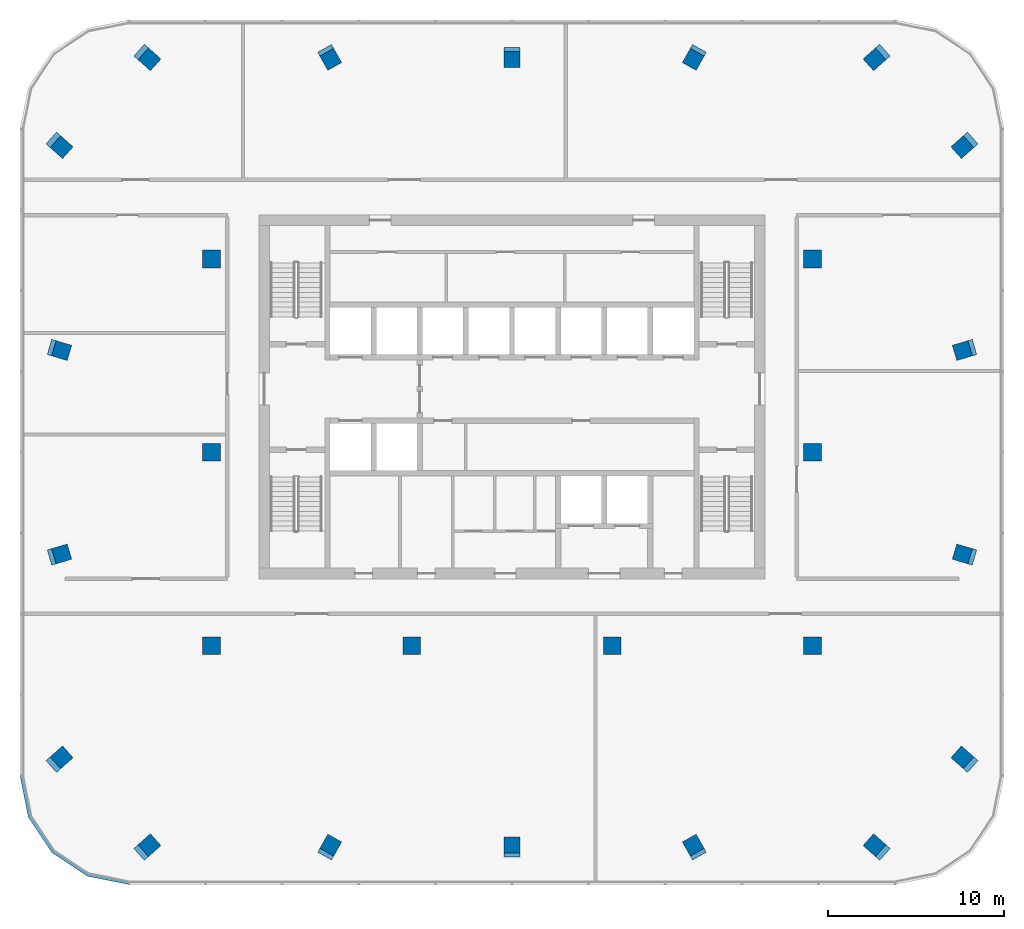
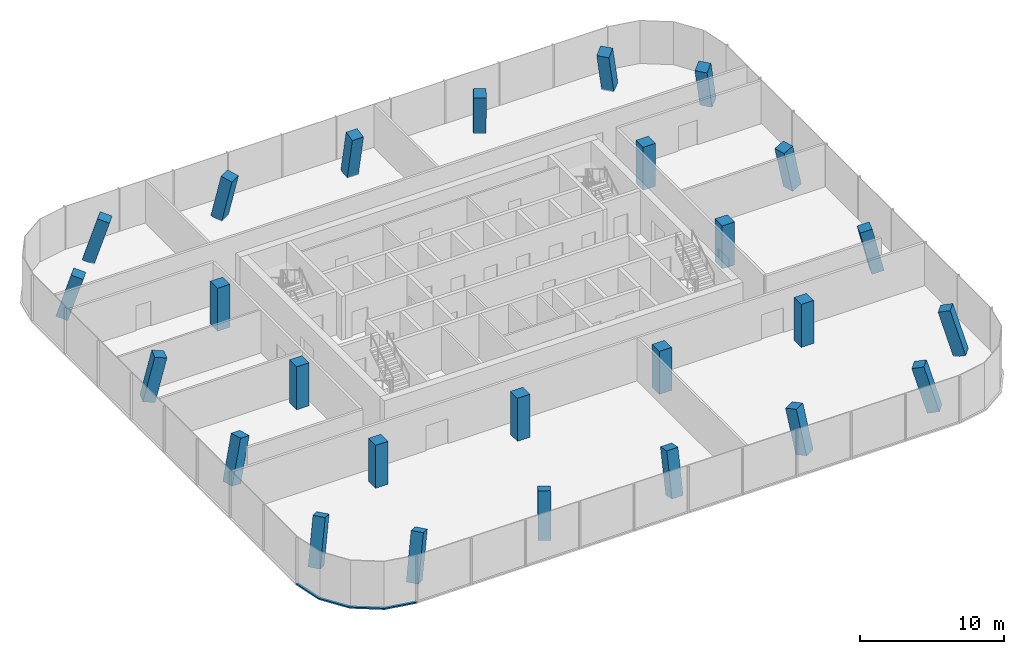
# One storey, part 1 of 10: 26 columns, 1 member, 1 element without a shape of its own.
"""IFC4 building model written with IfcOpenShell, lengths in metres."""

from ifc_helpers import new_model, si_unit, direction, frame, origin, origin_2d, place, context, subcontext, project, spatial, polyline, rectangle, outline, extrude, material, material_profile, profile_set, type_object, element, aggregate, save


model = new_model("IFC4")

# Units and contexts
model_context = context("Model", 3, precision=1e-05, world=origin(), true_north=direction((0.0, 1.0)))
body_context = subcontext(model_context, "Body", "Model", "MODEL_VIEW")
ifc_project = project(units=[si_unit("LENGTHUNIT", "METRE"), si_unit("AREAUNIT", "SQUARE_METRE"), si_unit("VOLUMEUNIT", "CUBIC_METRE"), si_unit("PLANEANGLEUNIT", "RADIAN"), si_unit("MASSUNIT", "GRAM", prefix="KILO")], contexts=[model_context])

# Site, building, storey
site_placement = place(None, origin())
site = spatial("IfcSite", under=ifc_project, at=site_placement, CompositionType="ELEMENT")
building_placement = place(site_placement, origin())
building = spatial("IfcBuilding", under=site, at=building_placement, Name="Mopane Tessera Tower", CompositionType="ELEMENT")
storey_placement = place(building_placement, frame((0.0, 0.0, 325.39990234375)))
storey = spatial("IfcBuildingStorey", under=building, at=storey_placement, Name="L71", CompositionType="ELEMENT", Elevation=325.39990234375)

# Columns
ifc_material_1 = material(Name="Concrete C40/50", Category="concrete")
ifc_material_profile_1 = material_profile(ifc_material_1, rectangle(XDim=1.0, YDim=1.0, at=origin_2d()))
ifc_profile_set_1 = profile_set([ifc_material_profile_1], Name="Concrete C40/50")
column_type_1 = type_object("IfcColumnType", Name="Interior column 1000 x 1000 C40/50", PredefinedType="COLUMN", material=ifc_profile_set_1)
for number, where, z_axis, x_axis, name in (
    (1, (-17.10009765625, -11.0, 0.0), (0.0, 0.0, 1.0), (1.0, 0.0, 0.0), "Interior column I1A L71"),
    (2, (-17.10009765625, 0.0, 0.0), (0.0, 0.0, 1.0), (1.0, 0.0, 0.0), "Interior column I1B L71"),
    (3, (-17.10009765625, 11.0, 0.0), (0.0, 0.0, 1.0), (1.0, 0.0, 0.0), "Interior column I1C L71"),
    (4, (-5.699951171875, -11.0, 0.0), (0.0, 0.0, 1.0), (1.0, 0.0, 0.0), "Interior column I2A L71"),
    (5, (5.699951171875, -11.0, 0.0), (0.0, 0.0, 1.0), (1.0, 0.0, 0.0), "Interior column I3A L71"),
    (6, (17.10009765625, -11.0, 0.0), (0.0, 0.0, 1.0), (1.0, 0.0, 0.0), "Interior column I4A L71"),
    (7, (17.10009765625, 0.0, 0.0), (0.0, 0.0, 1.0), (1.0, 0.0, 0.0), "Interior column I4B L71"),
    (8, (17.10009765625, 11.0, 0.0), (0.0, 0.0, 1.0), (1.0, 0.0, 0.0), "Interior column I4C L71"),
):
    element("IfcColumn", number, at=place(storey_placement, frame(where, z_axis=z_axis, x_axis=x_axis)), inside=storey, type_object=column_type_1, Name=name, PredefinedType="COLUMN", context=body_context, shape_type="SweptSolid", body=[
        extrude(rectangle(XDim=1.0, YDim=1.0, at=origin_2d()), origin(), (0.0, 0.0, 1.0), 3.650146484375),
    ])
ifc_material_2 = material(Name="Concrete C40/50", Category="concrete")
ifc_material_profile_2 = material_profile(ifc_material_2, rectangle(XDim=0.89990234375, YDim=0.89990234375, at=origin_2d()))
ifc_profile_set_2 = profile_set([ifc_material_profile_2], Name="Concrete C40/50")
column_type_2 = type_object("IfcColumnType", Name="Ring column 900 x 900 C40/50", PredefinedType="COLUMN", material=ifc_profile_set_2)
column_1_placement = place(storey_placement, frame((-20.89990234375, -22.60009765625, 0.0), z_axis=(0.215390135248, 0.191500596013, 0.957567027087), x_axis=(-0.664446593646, 0.747335750645, 0.0)))
element("IfcColumn", 9, at=column_1_placement, inside=storey, type_object=column_type_2, Name="Ring column S0 L71", PredefinedType="COLUMN", context=body_context, shape_type="SweptSolid", body=[
    extrude(rectangle(XDim=0.89990234375, YDim=0.89990234375, at=origin_2d()), origin(), (0.0, 0.0, 1.0), 3.81201171875),
])
column_2_placement = place(storey_placement, frame((-10.449951171875, -22.60009765625, 0.0), z_axis=(0.10965123519, 0.194921042341, 0.974670402687), x_axis=(-0.871559967399, 0.490288918116, 0.0)))
element("IfcColumn", 10, at=column_2_placement, inside=storey, type_object=column_type_2, Name="Ring column S1 L71", PredefinedType="COLUMN", context=body_context, shape_type="SweptSolid", body=[
    extrude(rectangle(XDim=0.89990234375, YDim=0.89990234375, at=origin_2d()), origin(), (0.0, 0.0, 1.0), 3.7451171875),
])
column_3_placement = place(storey_placement, frame((0.0, -22.60009765625, 0.0), z_axis=(0.0, 0.196103522341, 0.980583198166), x_axis=(-1.0, 0.0, 0.0)))
element("IfcColumn", 11, at=column_3_placement, inside=storey, type_object=column_type_2, Name="Ring column S2 L71", PredefinedType="COLUMN", context=body_context, shape_type="SweptSolid", body=[
    extrude(rectangle(XDim=0.89990234375, YDim=0.89990234375, at=origin_2d()), origin(), (0.0, 0.0, 1.0), 3.722412109375),
])
column_4_placement = place(storey_placement, frame((10.449951171875, -22.60009765625, 0.0), z_axis=(-0.10965123519, 0.194921042341, 0.974670402687), x_axis=(-0.871559967399, -0.490288918116, 0.0)))
element("IfcColumn", 12, at=column_4_placement, inside=storey, type_object=column_type_2, Name="Ring column S3 L71", PredefinedType="COLUMN", context=body_context, shape_type="SweptSolid", body=[
    extrude(rectangle(XDim=0.89990234375, YDim=0.89990234375, at=origin_2d()), origin(), (0.0, 0.0, 1.0), 3.7451171875),
])
for number, where, z_axis, x_axis, name in (
    (13, (20.89990234375, -22.60009765625, 0.0), (-0.215390135248, 0.191500596013, 0.957567027087), (-0.664446593646, -0.747335750645, 0.0), "Ring column S4 L71"),
    (14, (25.89990234375, -17.60009765625, 0.0), (-0.215390135248, 0.191500596013, 0.957567027087), (-0.664446593646, -0.747335750645, 0.0), "Ring column E0 L71"),
):
    element("IfcColumn", number, at=place(storey_placement, frame(where, z_axis=z_axis, x_axis=x_axis)), inside=storey, type_object=column_type_2, Name=name, PredefinedType="COLUMN", context=body_context, shape_type="SweptSolid", body=[
        extrude(rectangle(XDim=0.89990234375, YDim=0.89990234375, at=origin_2d()), origin(), (0.0, 0.0, 1.0), 3.81201171875),
    ])
for number, where, z_axis, x_axis, name in (
    (15, (25.89990234375, -5.86669921875, 0.0), (-0.218989598564, 0.064856865944, 0.973569279847), (-0.283971837833, -0.958832621117, 0.0), "Ring column E1 L71"),
    (16, (25.89990234375, 5.86669921875, 0.0), (-0.218989598564, -0.064856865944, 0.973569279847), (0.283971837833, -0.958832621117, 0.0), "Ring column E2 L71"),
):
    element("IfcColumn", number, at=place(storey_placement, frame(where, z_axis=z_axis, x_axis=x_axis)), inside=storey, type_object=column_type_2, Name=name, PredefinedType="COLUMN", context=body_context, shape_type="SweptSolid", body=[
        extrude(rectangle(XDim=0.89990234375, YDim=0.89990234375, at=origin_2d()), origin(), (0.0, 0.0, 1.0), 3.749267578125),
    ])
for number, where, z_axis, x_axis, name in (
    (17, (25.89990234375, 17.60009765625, 0.0), (-0.215390135248, -0.191500596013, 0.957567027087), (0.664446593646, -0.747335750645, 0.0), "Ring column E3 L71"),
    (18, (20.89990234375, 22.60009765625, 0.0), (-0.215390135248, -0.191500596013, 0.957567027087), (0.664446593646, -0.747335750645, 0.0), "Ring column N0 L71"),
):
    element("IfcColumn", number, at=place(storey_placement, frame(where, z_axis=z_axis, x_axis=x_axis)), inside=storey, type_object=column_type_2, Name=name, PredefinedType="COLUMN", context=body_context, shape_type="SweptSolid", body=[
        extrude(rectangle(XDim=0.89990234375, YDim=0.89990234375, at=origin_2d()), origin(), (0.0, 0.0, 1.0), 3.81201171875),
    ])
column_5_placement = place(storey_placement, frame((10.449951171875, 22.60009765625, 0.0), z_axis=(-0.10965123519, -0.194921042341, 0.974670402687), x_axis=(0.871559967399, -0.490288918116, 0.0)))
element("IfcColumn", 19, at=column_5_placement, inside=storey, type_object=column_type_2, Name="Ring column N1 L71", PredefinedType="COLUMN", context=body_context, shape_type="SweptSolid", body=[
    extrude(rectangle(XDim=0.89990234375, YDim=0.89990234375, at=origin_2d()), origin(), (0.0, 0.0, 1.0), 3.7451171875),
])
column_6_placement = place(storey_placement, frame((0.0, 22.60009765625, 0.0), z_axis=(0.0, -0.196103522341, 0.980583198166), x_axis=(1.0, 0.0, 0.0)))
element("IfcColumn", 20, at=column_6_placement, inside=storey, type_object=column_type_2, Name="Ring column N2 L71", PredefinedType="COLUMN", context=body_context, shape_type="SweptSolid", body=[
    extrude(rectangle(XDim=0.89990234375, YDim=0.89990234375, at=origin_2d()), origin(), (0.0, 0.0, 1.0), 3.722412109375),
])
column_7_placement = place(storey_placement, frame((-10.449951171875, 22.60009765625, 0.0), z_axis=(0.10965123519, -0.194921042341, 0.974670402687), x_axis=(0.871559967399, 0.490288918116, 0.0)))
element("IfcColumn", 21, at=column_7_placement, inside=storey, type_object=column_type_2, Name="Ring column N3 L71", PredefinedType="COLUMN", context=body_context, shape_type="SweptSolid", body=[
    extrude(rectangle(XDim=0.89990234375, YDim=0.89990234375, at=origin_2d()), origin(), (0.0, 0.0, 1.0), 3.7451171875),
])
for number, where, z_axis, x_axis, name in (
    (22, (-20.89990234375, 22.60009765625, 0.0), (0.215390135248, -0.191500596013, 0.957567027087), (0.664446593646, 0.747335750645, 0.0), "Ring column N4 L71"),
    (23, (-25.89990234375, 17.60009765625, 0.0), (0.215390135248, -0.191500596013, 0.957567027087), (0.664446593646, 0.747335750645, 0.0), "Ring column W0 L71"),
):
    element("IfcColumn", number, at=place(storey_placement, frame(where, z_axis=z_axis, x_axis=x_axis)), inside=storey, type_object=column_type_2, Name=name, PredefinedType="COLUMN", context=body_context, shape_type="SweptSolid", body=[
        extrude(rectangle(XDim=0.89990234375, YDim=0.89990234375, at=origin_2d()), origin(), (0.0, 0.0, 1.0), 3.81201171875),
    ])
for number, where, z_axis, x_axis, name in (
    (24, (-25.89990234375, 5.86669921875, 0.0), (0.218989598564, -0.064856865944, 0.973569279847), (0.283971837833, 0.958832621117, 0.0), "Ring column W1 L71"),
    (25, (-25.89990234375, -5.86669921875, 0.0), (0.218989598564, 0.064856865944, 0.973569279847), (-0.283971837833, 0.958832621117, 0.0), "Ring column W2 L71"),
):
    element("IfcColumn", number, at=place(storey_placement, frame(where, z_axis=z_axis, x_axis=x_axis)), inside=storey, type_object=column_type_2, Name=name, PredefinedType="COLUMN", context=body_context, shape_type="SweptSolid", body=[
        extrude(rectangle(XDim=0.89990234375, YDim=0.89990234375, at=origin_2d()), origin(), (0.0, 0.0, 1.0), 3.749267578125),
    ])
column_8_placement = place(storey_placement, frame((-25.89990234375, -17.60009765625, 0.0), z_axis=(0.215390135248, 0.191500596013, 0.957567027087), x_axis=(-0.664446593646, 0.747335750645, 0.0)))
element("IfcColumn", 26, at=column_8_placement, inside=storey, type_object=column_type_2, Name="Ring column W3 L71", PredefinedType="COLUMN", context=body_context, shape_type="SweptSolid", body=[
    extrude(rectangle(XDim=0.89990234375, YDim=0.89990234375, at=origin_2d()), origin(), (0.0, 0.0, 1.0), 3.81201171875),
])

# Curtain wall, member
ifc_material_3 = material(Name="Aluminium frame", Category="aluminium")
curtain_wall_type = type_object("IfcCurtainWallType", Name="Unitised curtain wall", PredefinedType="NOTDEFINED", material=ifc_material_3)
curtain_wall_placement = place(storey_placement, origin())
curtain_wall = element("IfcCurtainWall", 27, at=curtain_wall_placement, inside=storey, type_object=curtain_wall_type, Name="e:cw:L71:CW", PredefinedType="NOTDEFINED")
ifc_material_4 = material(Name="Aluminium frame", Category="aluminium")
ifc_material_profile_3 = material_profile(ifc_material_4, rectangle(XDim=0.199951171875, YDim=0.1201171875, at=origin_2d()))
ifc_profile_set_3 = profile_set([ifc_material_profile_3], Name="Aluminium frame")
member_type = type_object("IfcMemberType", Name="Aluminium transom 200 x 120", PredefinedType="USERDEFINED", material=ifc_profile_set_3)
member_placement = place(storey_placement, frame((0.0, 0.0, -0.349853515625)))
member = element("IfcMember", 28, at=member_placement, type_object=member_type, Name="e:cw:L71:CW:tr", ObjectType="TRANSOM", PredefinedType="USERDEFINED", context=body_context, shape_type="SweptSolid", body=[
    extrude(outline(polyline([(-27.800048828125, -18.39990234375), (-27.34326171875, -20.696044921875), (-26.042724609375, -22.642578125), (-24.09619140625, -23.943359375), (-21.800048828125, -24.39990234375), (-21.800048828125, -24.60009765625), (-24.172607421875, -24.128173828125), (-26.18408203125, -22.7841796875), (-27.528076171875, -20.772705078125), (-28.0, -18.39990234375), (-27.800048828125, -18.39990234375)])), origin(), (0.0, 0.0, 1.0), 0.119873046875),
])
aggregate(curtain_wall, [member])

save(model, "model.ifc")
